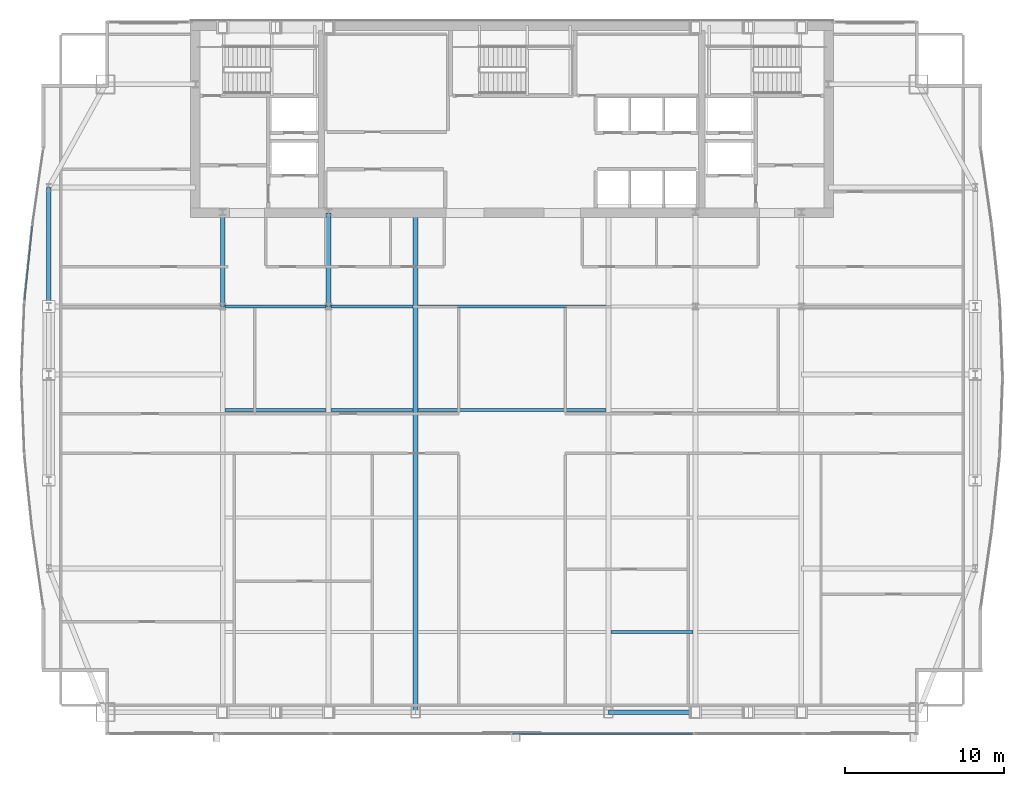
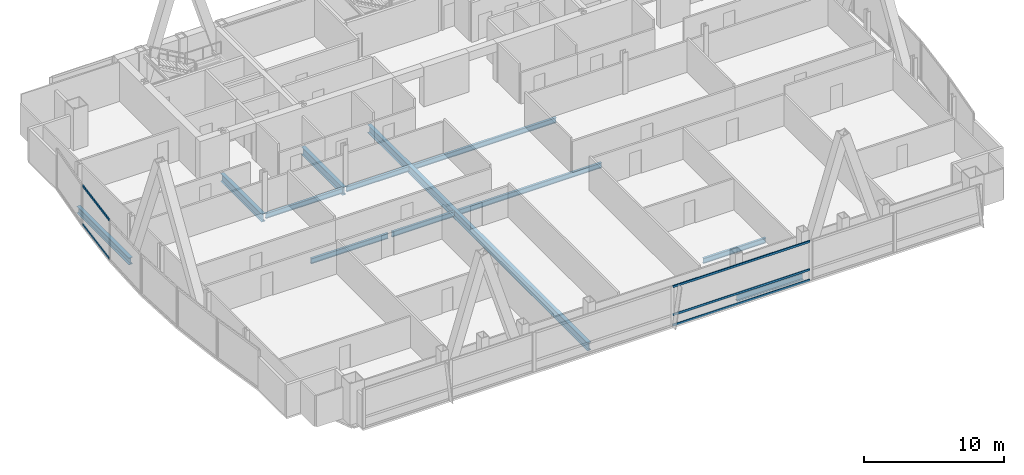
# One storey, part 12 of 32: 12 beams, 5 members, 2 elements without a shape of their own.
"""IFC4 building model written with IfcOpenShell, lengths in metres."""

from ifc_helpers import new_model, si_unit, direction, frame, origin, origin_2d, place, context, subcontext, project, spatial, hollow_rectangle, i_section, extrude, material, material_profile, profile_set, type_object, element, aggregate, save


model = new_model("IFC4")

# Units and contexts
model_context = context("Model", 3, precision=1e-05, world=origin(), true_north=direction((0.0, 1.0)))
body_context = subcontext(model_context, "Body", "Model", "MODEL_VIEW")
ifc_project = project(units=[si_unit("LENGTHUNIT", "METRE"), si_unit("AREAUNIT", "SQUARE_METRE"), si_unit("VOLUMEUNIT", "CUBIC_METRE"), si_unit("PLANEANGLEUNIT", "RADIAN"), si_unit("MASSUNIT", "GRAM", prefix="KILO")], contexts=[model_context])

# Site, building, storey
site_placement = place(None, origin())
site = spatial("IfcSite", under=ifc_project, at=site_placement, CompositionType="ELEMENT")
building_placement = place(site_placement, origin())
building = spatial("IfcBuilding", under=site, at=building_placement, Name="Khoronbel Lancet Exchange", CompositionType="ELEMENT")
storey_placement = place(building_placement, frame((0.0, 0.0, 199.39990234375)))
storey = spatial("IfcBuildingStorey", under=building, at=storey_placement, Name="L50", CompositionType="ELEMENT", Elevation=199.39990234375)

# Beams
ifc_material_1 = material(Name="Steel S355", Category="steel")
ifc_material_profile_1 = material_profile(ifc_material_1, i_section(OverallWidth=0.300048828125, OverallDepth=0.699951171875, WebThickness=0.01708984375, FlangeThickness=0.031982421875, at=origin_2d()), Name="HEB 700")
ifc_profile_set_1 = profile_set([ifc_material_profile_1], Name="Steel S355")
beam_type_1 = type_object("IfcBeamType", Name="BM-BG3", PredefinedType="BEAM", material=ifc_profile_set_1)
for number, where, z_axis, x_axis, name in (
    (1, (18.22509765625, 35.699951171875, -0.510009765625), (0.0, 1.0, 0.0), (-1.0, 0.0, 0.0), "Level L50 spine tie girder GN1"),
    (2, (24.89990234375, 35.699951171875, -0.510009765625), (0.0, 1.0, 0.0), (-1.0, 0.0, 0.0), "Level L50 spine tie girder GN2"),
):
    element("IfcBeam", number, at=place(storey_placement, frame(where, z_axis=z_axis, x_axis=x_axis)), inside=storey, type_object=beam_type_1, Name=name, PredefinedType="BEAM", context=body_context, shape_type="SweptSolid", body=[
        extrude(i_section(OverallWidth=0.300048828125, OverallDepth=0.699951171875, WebThickness=0.01708984375, FlangeThickness=0.031982421875, at=origin_2d()), origin(), (0.0, 0.0, 1.0), 5.900146484375),
    ])
beam_1_placement = place(storey_placement, frame((30.375, 10.14990234375, -0.510009765625), z_axis=(0.0, 1.0, 0.0), x_axis=(-1.0, 0.0, 0.0)))
element("IfcBeam", 3, at=beam_1_placement, inside=storey, type_object=beam_type_1, Name="Level L50 primary floor girder G3", PredefinedType="BEAM", context=body_context, shape_type="SweptSolid", body=[
    extrude(i_section(OverallWidth=0.300048828125, OverallDepth=0.699951171875, WebThickness=0.01708984375, FlangeThickness=0.031982421875, at=origin_2d()), origin(), (0.0, 0.0, 1.0), 31.4501953125),
])
ifc_material_profile_2 = material_profile(ifc_material_1, i_section(OverallWidth=0.18994140625, OverallDepth=0.449951171875, WebThickness=0.009521484375, FlangeThickness=0.0146484375, at=origin_2d()), Name="IPE 450")
ifc_profile_set_2 = profile_set([ifc_material_profile_2], Name="Steel S355")
beam_type_2 = type_object("IfcBeamType", Name="BM-BJ4", PredefinedType="JOIST", material=ifc_profile_set_2)
beam_2_placement = place(storey_placement, frame((42.675048828125, 15.199951171875, -0.385009765625), z_axis=(1.0, 0.0, 0.0), x_axis=(0.0, 1.0, 0.0)))
element("IfcBeam", 4, at=beam_2_placement, inside=storey, type_object=beam_type_2, Name="Level L50 secondary composite joist J04", PredefinedType="JOIST", context=body_context, shape_type="SweptSolid", body=[
    extrude(i_section(OverallWidth=0.18994140625, OverallDepth=0.449951171875, WebThickness=0.009521484375, FlangeThickness=0.0146484375, at=origin_2d()), origin(), (0.0, 0.0, 1.0), 5.175048828125),
])
beam_3_placement = place(storey_placement, frame((18.375, 29.199951171875, -0.385009765625), z_axis=(1.0, 0.0, 0.0), x_axis=(0.0, 1.0, 0.0)))
element("IfcBeam", 5, at=beam_3_placement, inside=storey, type_object=beam_type_2, Name="Level L50 secondary composite joist J11", PredefinedType="JOIST", context=body_context, shape_type="SweptSolid", body=[
    extrude(i_section(OverallWidth=0.18994140625, OverallDepth=0.449951171875, WebThickness=0.009521484375, FlangeThickness=0.0146484375, at=origin_2d()), origin(), (0.0, 0.0, 1.0), 6.375),
])
beam_4_placement = place(storey_placement, frame((25.050048828125, 29.199951171875, -0.385009765625), z_axis=(1.0, 0.0, 0.0), x_axis=(0.0, 1.0, 0.0)))
element("IfcBeam", 6, at=beam_4_placement, inside=storey, type_object=beam_type_2, Name="Level L50 secondary composite joist J12", PredefinedType="JOIST", context=body_context, shape_type="SweptSolid", body=[
    extrude(i_section(OverallWidth=0.18994140625, OverallDepth=0.449951171875, WebThickness=0.009521484375, FlangeThickness=0.0146484375, at=origin_2d()), origin(), (0.0, 0.0, 1.0), 5.175048828125),
])
beam_5_placement = place(storey_placement, frame((30.52490234375, 29.199951171875, -0.385009765625), z_axis=(1.0, 0.0, 0.0), x_axis=(0.0, 1.0, 0.0)))
element("IfcBeam", 7, at=beam_5_placement, inside=storey, type_object=beam_type_2, Name="Level L50 secondary composite joist J13", PredefinedType="JOIST", context=body_context, shape_type="SweptSolid", body=[
    extrude(i_section(OverallWidth=0.18994140625, OverallDepth=0.449951171875, WebThickness=0.009521484375, FlangeThickness=0.0146484375, at=origin_2d()), origin(), (0.0, 0.0, 1.0), 11.85009765625),
])
beam_6_placement = place(storey_placement, frame((18.375, 35.699951171875, -0.385009765625), z_axis=(1.0, 0.0, 0.0), x_axis=(0.0, 1.0, 0.0)))
element("IfcBeam", 8, at=beam_6_placement, inside=storey, type_object=beam_type_2, Name="Level L50 secondary composite joist J16", PredefinedType="JOIST", context=body_context, shape_type="SweptSolid", body=[
    extrude(i_section(OverallWidth=0.18994140625, OverallDepth=0.449951171875, WebThickness=0.009521484375, FlangeThickness=0.0146484375, at=origin_2d()), origin(), (0.0, 0.0, 1.0), 6.375),
])
beam_7_placement = place(storey_placement, frame((25.050048828125, 35.699951171875, -0.385009765625), z_axis=(1.0, 0.0, 0.0), x_axis=(0.0, 1.0, 0.0)))
element("IfcBeam", 9, at=beam_7_placement, inside=storey, type_object=beam_type_2, Name="Level L50 secondary composite joist J17", PredefinedType="JOIST", context=body_context, shape_type="SweptSolid", body=[
    extrude(i_section(OverallWidth=0.18994140625, OverallDepth=0.449951171875, WebThickness=0.009521484375, FlangeThickness=0.0146484375, at=origin_2d()), origin(), (0.0, 0.0, 1.0), 5.175048828125),
])
beam_8_placement = place(storey_placement, frame((30.52490234375, 35.699951171875, -0.385009765625), z_axis=(1.0, 0.0, 0.0), x_axis=(0.0, 1.0, 0.0)))
element("IfcBeam", 10, at=beam_8_placement, inside=storey, type_object=beam_type_2, Name="Level L50 secondary composite joist J18", PredefinedType="JOIST", context=body_context, shape_type="SweptSolid", body=[
    extrude(i_section(OverallWidth=0.18994140625, OverallDepth=0.449951171875, WebThickness=0.009521484375, FlangeThickness=0.0146484375, at=origin_2d()), origin(), (0.0, 0.0, 1.0), 11.85009765625),
])
ifc_material_profile_3 = material_profile(ifc_material_1, i_section(OverallWidth=0.300048828125, OverallDepth=0.60009765625, WebThickness=0.015380859375, FlangeThickness=0.030029296875, at=origin_2d()), Name="HEB 600")
ifc_profile_set_3 = profile_set([ifc_material_profile_3], Name="Steel S355")
beam_type_3 = type_object("IfcBeamType", Name="BM-BSP2", PredefinedType="SPANDREL", material=ifc_profile_set_3)
beam_9_placement = place(storey_placement, frame((42.52490234375, 10.14990234375, -0.4599609375), z_axis=(1.0, 0.0, 0.0), x_axis=(0.0, 1.0, 0.0)))
element("IfcBeam", 11, at=beam_9_placement, inside=storey, type_object=beam_type_3, Name="Level L50 perimeter spandrel beam SP06", PredefinedType="SPANDREL", context=body_context, shape_type="SweptSolid", body=[
    extrude(i_section(OverallWidth=0.300048828125, OverallDepth=0.60009765625, WebThickness=0.015380859375, FlangeThickness=0.030029296875, at=origin_2d()), origin(), (0.0, 0.0, 1.0), 5.47509765625),
])
beam_10_placement = place(storey_placement, frame((7.27001953125, 43.199951171875, -0.4599609375), z_axis=(0.0, -1.0, 0.0), x_axis=(1.0, 0.0, 0.0)))
element("IfcBeam", 12, at=beam_10_placement, inside=storey, type_object=beam_type_3, Name="Level L50 perimeter spandrel beam SP17", PredefinedType="SPANDREL", context=body_context, shape_type="SweptSolid", body=[
    extrude(i_section(OverallWidth=0.300048828125, OverallDepth=0.60009765625, WebThickness=0.015380859375, FlangeThickness=0.030029296875, at=origin_2d()), origin(), (0.0, 0.0, 1.0), 7.5),
])

# Curtain wall, members
ifc_material_2 = material(Name="Low-E Solar Control Insulating Glass", Category="glass")
curtain_wall_type_1 = type_object("IfcCurtainWallType", Name="CW-4", PredefinedType="NOTDEFINED", material=ifc_material_2)
curtain_wall_1_placement = place(storey_placement, origin())
curtain_wall_1 = element("IfcCurtainWall", 13, at=curtain_wall_1_placement, inside=storey, type_object=curtain_wall_type_1, Name="Unitised curtain wall CW-L50-E08", PredefinedType="NOTDEFINED")
ifc_material_3 = material(Name="Bronze-Anodised Aluminium 6063-T6", Category="aluminium")
ifc_material_profile_4 = material_profile(ifc_material_3, hollow_rectangle(XDim=0.0849609375, YDim=0.179931640625, WallThickness=0.0048828125, at=origin_2d()), Name="ALU TRANSOM 85x180")
ifc_profile_set_4 = profile_set([ifc_material_profile_4], Name="Bronze-Anodised Aluminium 6063-T6")
member_type = type_object("IfcMemberType", Name="MEM-CWT1", PredefinedType="USERDEFINED", material=ifc_profile_set_4)
member_1_placement = place(storey_placement, frame((5.743896484375, 36.101318359375, 0.04248046875), z_axis=(0.104700989227, 0.994503747029, 0.0), x_axis=(-0.994503747029, 0.104700989227, 0.0)))
member_1 = element("IfcMember", 14, at=member_1_placement, type_object=member_type, Name="CW4 transom 1.1", ObjectType="TRANSOM", PredefinedType="USERDEFINED", context=body_context, shape_type="SweptSolid", body=[
    extrude(hollow_rectangle(XDim=0.0849609375, YDim=0.179931640625, WallThickness=0.0048828125, at=origin_2d()), origin(), (0.0, 0.0, 1.0), 4.70556640625),
])
member_2_placement = place(storey_placement, frame((5.743896484375, 36.101318359375, 3.397705078125), z_axis=(0.104700989227, 0.994503747029, 0.0), x_axis=(-0.994503747029, 0.104700989227, 0.0)))
member_2 = element("IfcMember", 15, at=member_2_placement, type_object=member_type, Name="CW4 transom 1.2", ObjectType="TRANSOM", PredefinedType="USERDEFINED", context=body_context, shape_type="SweptSolid", body=[
    extrude(hollow_rectangle(XDim=0.0849609375, YDim=0.179931640625, WallThickness=0.0048828125, at=origin_2d()), origin(), (0.0, 0.0, 1.0), 4.70556640625),
])
aggregate(curtain_wall_1, [member_1, member_2])

curtain_wall_type_2 = type_object("IfcCurtainWallType", Name="CW-3", PredefinedType="NOTDEFINED", material=ifc_material_2)
curtain_wall_2_placement = place(storey_placement, origin())
curtain_wall_2 = element("IfcCurtainWall", 16, at=curtain_wall_2_placement, inside=storey, type_object=curtain_wall_type_2, Name="Unitised curtain wall CW-L50-SCV", PredefinedType="NOTDEFINED")
member_3_placement = place(storey_placement, frame((36.492431640625, 8.7900390625, 0.04248046875), z_axis=(1.0, 0.0, 0.0), x_axis=(0.0, 1.0, 0.0)))
member_3 = element("IfcMember", 17, at=member_3_placement, type_object=member_type, Name="CW3 transom 2.1", ObjectType="TRANSOM", PredefinedType="USERDEFINED", context=body_context, shape_type="SweptSolid", body=[
    extrude(hollow_rectangle(XDim=0.0849609375, YDim=0.179931640625, WallThickness=0.0048828125, at=origin_2d()), origin(), (0.0, 0.0, 1.0), 11.322509765625),
])
member_4_placement = place(storey_placement, frame((36.492431640625, 8.7900390625, 0.9501953125), z_axis=(1.0, 0.0, 0.0), x_axis=(0.0, 1.0, 0.0)))
member_4 = element("IfcMember", 18, at=member_4_placement, type_object=member_type, Name="CW3 transom 2.2", ObjectType="TRANSOM", PredefinedType="USERDEFINED", context=body_context, shape_type="SweptSolid", body=[
    extrude(hollow_rectangle(XDim=0.0849609375, YDim=0.179931640625, WallThickness=0.0048828125, at=origin_2d()), origin(), (0.0, 0.0, 1.0), 11.322509765625),
])
member_5_placement = place(storey_placement, frame((36.492431640625, 8.7900390625, 3.397705078125), z_axis=(1.0, 0.0, 0.0), x_axis=(0.0, 1.0, 0.0)))
member_5 = element("IfcMember", 19, at=member_5_placement, type_object=member_type, Name="CW3 transom 2.3", ObjectType="TRANSOM", PredefinedType="USERDEFINED", context=body_context, shape_type="SweptSolid", body=[
    extrude(hollow_rectangle(XDim=0.0849609375, YDim=0.179931640625, WallThickness=0.0048828125, at=origin_2d()), origin(), (0.0, 0.0, 1.0), 11.322509765625),
])
aggregate(curtain_wall_2, [member_3, member_4, member_5])

save(model, "model.ifc")
